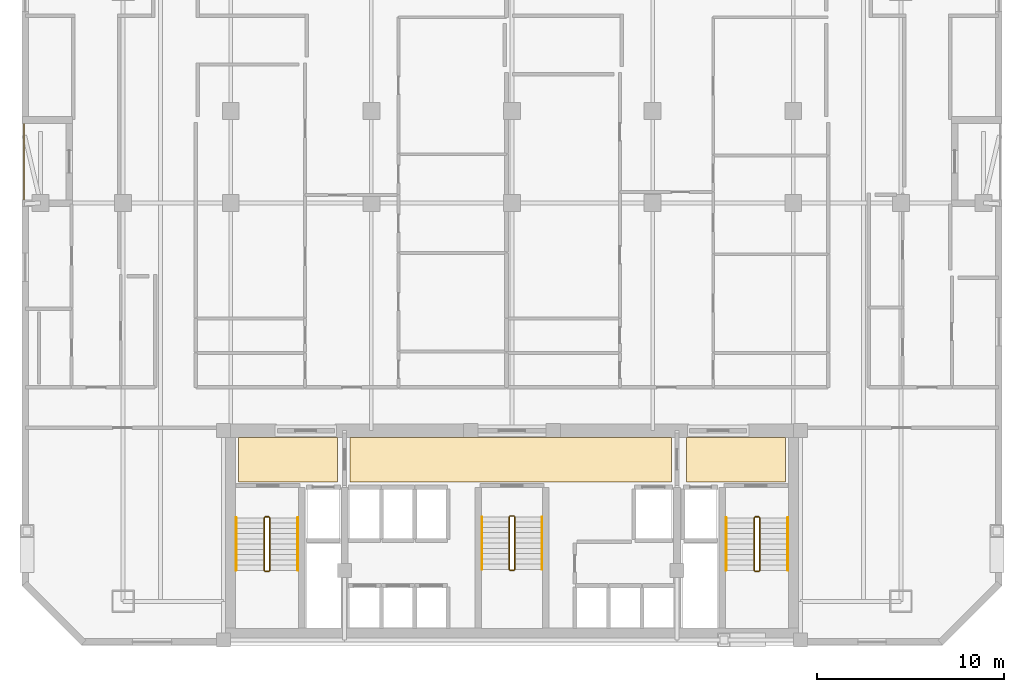
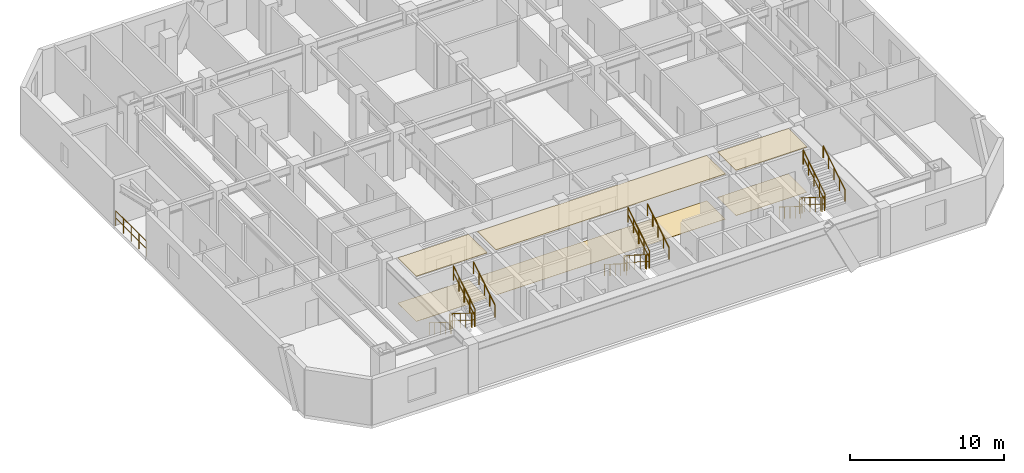
# One storey, part 9 of 10: 19 railings, 6 coverings.
"""IFC4 building model written with IfcOpenShell, lengths in metres."""

import ifcopenshell
import ifcopenshell.guid

model = None  # the IFC model being written
_history = None  # IfcOwnerHistory: only IFC2X3 demands one
_inside = {}  # id of a spatial element -> (the spatial element, [elements in it])
_under = {}  # id of a project, library or spatial element -> (it, [spatial elements below it])
_declared = {}  # id of a project -> (the project, [libraries it declares])
_typed = {}  # id of a type object -> (the type object, [elements of that type])
_made_of = {}  # id of a material, layer set ... -> (it, [elements and type objects made of it])


def new_model(schema):
    """Start an empty IFC model of exactly this schema.

    Asked for "IFC4X3", IfcOpenShell would pick the latest addendum, in which some entities
    have other attributes; the version numbers below select the first issue.
    IFC2X3 requires an IfcOwnerHistory on every rooted entity: one is made here for all.
    """
    global model, _history
    if schema == "IFC4X3":
        model = ifcopenshell.file(schema_version=(4, 3, 0, 0))
    else:
        model = ifcopenshell.file(schema=schema)
    _inside.clear()
    _under.clear()
    _declared.clear()
    _typed.clear()
    _made_of.clear()
    _history = None
    if model.schema == "IFC2X3":
        org = make("IfcOrganization", Name="unknown")
        user = make(
            "IfcPersonAndOrganization",
            ThePerson=make("IfcPerson", FamilyName="unknown"),
            TheOrganization=org,
        )
        app = make(
            "IfcApplication",
            ApplicationDeveloper=org,
            Version="unknown",
            ApplicationFullName="unknown",
            ApplicationIdentifier="unknown",
        )
        _history = make(
            "IfcOwnerHistory",
            OwningUser=user,
            OwningApplication=app,
            ChangeAction="ADDED",
            CreationDate=0,
        )
    return model


def make(cls, **values):
    """One entity of the class cls with the attributes given. An attribute that is None is left unset."""
    return model.create_entity(
        cls, **{name: value for name, value in values.items() if value is not None}
    )


def rooted(cls, **values):
    """An entity with a GlobalId (a new one), such as an element, a storey or a relation."""
    return make(cls, GlobalId=ifcopenshell.guid.new(), OwnerHistory=_history, **values)


def si_unit(unit_type, name, prefix=None):
    """IfcSIUnit, for example si_unit("LENGTHUNIT", "METRE", prefix="MILLI")."""
    return make("IfcSIUnit", UnitType=unit_type, Prefix=prefix, Name=name)


def assignment(units):
    """IfcUnitAssignment: the units of a project."""
    return None if units is None else make("IfcUnitAssignment", Units=units)


def point(xyz):
    """IfcCartesianPoint."""
    return None if xyz is None else make("IfcCartesianPoint", Coordinates=xyz)


def direction(xyz):
    """IfcDirection."""
    return None if xyz is None else make("IfcDirection", DirectionRatios=xyz)


def frame(location, z_axis=None, x_axis=None):
    """IfcAxis2Placement3D, a coordinate frame: its origin and axes. An axis left out is left unset."""
    return make(
        "IfcAxis2Placement3D",
        Location=point(location),
        Axis=direction(z_axis),
        RefDirection=direction(x_axis),
    )


def frame_2d(location, x_axis=None):
    """IfcAxis2Placement2D, a coordinate frame in the plane: its origin and x axis."""
    return make(
        "IfcAxis2Placement2D", Location=point(location), RefDirection=direction(x_axis)
    )


def origin():
    """The frame at (0, 0, 0) with its axes left unset."""
    return frame((0.0, 0.0, 0.0))


def origin_2d():
    """The frame at (0, 0) in the plane with its x axis left unset."""
    return frame_2d((0.0, 0.0))


def place(relative_to, where):
    """IfcLocalPlacement: puts the frame where relative to a parent placement (None: the world)."""
    return make(
        "IfcLocalPlacement", PlacementRelTo=relative_to, RelativePlacement=where
    )


def context(
    kind, dimensions, precision=None, world=None, true_north=None, identifier=None
):
    """IfcGeometricRepresentationContext, for example the 3D "Model" context."""
    return make(
        "IfcGeometricRepresentationContext",
        ContextIdentifier=identifier,
        ContextType=kind,
        CoordinateSpaceDimension=dimensions,
        Precision=precision,
        WorldCoordinateSystem=world,
        TrueNorth=true_north,
    )


def subcontext(parent, identifier, kind, view, scale=None):
    """IfcGeometricRepresentationSubContext, for example "Body" below "Model"."""
    return make(
        "IfcGeometricRepresentationSubContext",
        ContextIdentifier=identifier,
        ContextType=kind,
        ParentContext=parent,
        TargetScale=scale,
        TargetView=view,
    )


def project(units=None, contexts=None):
    """IfcProject with its units and contexts."""
    return rooted(
        "IfcProject",
        Name="project",
        RepresentationContexts=contexts,
        UnitsInContext=assignment(units),
    )


def spatial(cls, under=None, at=None, **own):
    """A site, building, storey or space (cls), placed at a placement, below another one or the project."""
    s = rooted(cls, ObjectPlacement=at, **own)
    if under is not None:
        _under.setdefault(under.id(), (under, []))[1].append(s)
    return s


def polyline(points):
    """IfcPolyline through the points."""
    return make("IfcPolyline", Points=[point(p) for p in points])


def profile(cls, at=None, kind="AREA", **sizes):
    """A parametric profile (cls). Its sizes go by their IFC names, for example OverallWidth=200.0."""
    return make(cls, ProfileType=kind, Position=at, **sizes)


def circle(**sizes):
    """IfcCircleProfileDef."""
    return profile("IfcCircleProfileDef", **sizes)


def outline(outer, holes=None, kind="AREA"):
    """IfcArbitraryClosedProfileDef: a profile drawn as a closed curve; with holes, ...WithVoids."""
    if holes is None:
        return make("IfcArbitraryClosedProfileDef", ProfileType=kind, OuterCurve=outer)
    return make(
        "IfcArbitraryProfileDefWithVoids",
        ProfileType=kind,
        OuterCurve=outer,
        InnerCurves=holes,
    )


def extrude(swept, where, along, depth):
    """IfcExtrudedAreaSolid: the profile swept, set in the frame where, extruded along a direction by depth."""
    return make(
        "IfcExtrudedAreaSolid",
        SweptArea=swept,
        Position=where,
        ExtrudedDirection=direction(along),
        Depth=depth,
    )


def shape(context_of_items, identifier, shape_type, items):
    """IfcShapeRepresentation: the items that make up one representation, for example the "Body"."""
    return make(
        "IfcShapeRepresentation",
        ContextOfItems=context_of_items,
        RepresentationIdentifier=identifier,
        RepresentationType=shape_type,
        Items=items,
    )


def material(Name=None, Category=None):
    """IfcMaterial."""
    return make("IfcMaterial", Name=Name, Category=Category)


def layer(
    of_material, thickness, ventilated=None, Name=None, Category=None, Priority=None
):
    """IfcMaterialLayer: one layer of a wall or slab, of a material (None: an air gap)."""
    return make(
        "IfcMaterialLayer",
        Material=of_material,
        LayerThickness=thickness,
        IsVentilated=ventilated,
        Name=Name,
        Category=Category,
        Priority=Priority,
    )


def layer_set(layers, Name=None):
    """IfcMaterialLayerSet."""
    return make("IfcMaterialLayerSet", MaterialLayers=layers, LayerSetName=Name)


def made_of(thing, what):
    """Note that an element or type object is made of a material, layer set ...; save() writes the relation."""
    if what is not None:
        _made_of.setdefault(what.id(), (what, []))[1].append(thing)
    return thing


def type_object(cls, material=None, **own):
    """A type object (cls), such as IfcWallType, which elements share."""
    return made_of(rooted(cls, **own), material)


def element(
    cls,
    number,
    at=None,
    inside=None,
    cuts=None,
    type_object=None,
    material=None,
    context=None,
    identifier="Body",
    shape_type=None,
    held_by="IfcProductDefinitionShape",
    body=None,
    shapes=None,
    **own,
):
    """One element of the class cls, such as IfcWall. Its Tag is "e" and its number.

    at: its placement. inside: the storey or other place that contains it. cuts: it is an
    opening in that element (IfcRelVoidsElement). A single representation is given by context,
    identifier, shape_type and body (its items); several are given by shapes. held_by: the class
    of the entity that holds the representations. save() writes the other relations.
    """
    e = rooted(cls, Tag="e%d" % number, ObjectPlacement=at, **own)
    if body is not None:
        shapes = [shape(context, identifier, shape_type, body)]
    if shapes is not None:
        e.Representation = make(held_by, Representations=shapes)
    if inside is not None:
        _inside.setdefault(inside.id(), (inside, []))[1].append(e)
    if cuts is not None:
        rooted(
            "IfcRelVoidsElement", RelatingBuildingElement=cuts, RelatedOpeningElement=e
        )
    if type_object is not None:
        _typed.setdefault(type_object.id(), (type_object, []))[1].append(e)
    return made_of(e, material)


def aggregate(whole, parts):
    """IfcRelAggregates: a whole, such as a stair, and the parts it consists of."""
    return rooted("IfcRelAggregates", RelatingObject=whole, RelatedObjects=parts)


def save(model, path):
    """Write the relations noted so far, then the file.

    IfcRelAggregates (storeys below a building ...), IfcRelContainedInSpatialStructure (elements
    in a storey), IfcRelDefinesByType, IfcRelAssociatesMaterial and IfcRelDeclares: one each for
    every whole, place, type object, material and project.
    """
    for whole, parts in _under.values():
        aggregate(whole, parts)
    for where, things in _inside.values():
        rooted(
            "IfcRelContainedInSpatialStructure",
            RelatedElements=things,
            RelatingStructure=where,
        )
    for kind, things in _typed.values():
        rooted("IfcRelDefinesByType", RelatedObjects=things, RelatingType=kind)
    for what, things in _made_of.values():
        rooted("IfcRelAssociatesMaterial", RelatedObjects=things, RelatingMaterial=what)
    for by, libraries in _declared.values():
        rooted("IfcRelDeclares", RelatingContext=by, RelatedDefinitions=libraries)
    model.write(path)


model = new_model("IFC4")

# Units and contexts
model_context = context("Model", 3, precision=1e-05, world=origin(), true_north=direction((0.0, 1.0)))
body_context = subcontext(model_context, "Body", "Model", "MODEL_VIEW")
ifc_project = project(units=[si_unit("LENGTHUNIT", "METRE"), si_unit("AREAUNIT", "SQUARE_METRE"), si_unit("VOLUMEUNIT", "CUBIC_METRE"), si_unit("PLANEANGLEUNIT", "RADIAN"), si_unit("MASSUNIT", "GRAM", prefix="KILO")], contexts=[model_context])

# Site, building, storey
site_placement = place(None, origin())
site = spatial("IfcSite", under=ifc_project, at=site_placement, CompositionType="ELEMENT")
building_placement = place(site_placement, origin())
building = spatial("IfcBuilding", under=site, at=building_placement, Name="Ventersveld Concourse Tower", CompositionType="ELEMENT")
storey_placement = place(building_placement, frame((0.0, 0.0, 96.449951171875)))
storey = spatial("IfcBuildingStorey", under=building, at=storey_placement, Name="L23", CompositionType="ELEMENT", Elevation=96.449951171875)

# Coverings
ifc_material_1 = material(Name="Mineral-fibre acoustic ceiling tile", Category="gypsum")
ifc_layer_1 = layer(ifc_material_1, 0.0400390625)
ifc_layer_set_1 = layer_set([ifc_layer_1], Name="Mineral-fibre acoustic ceiling tile")
covering_type_1 = type_object("IfcCoveringType", Name="COV-CEIL-ACOUSTIC", PredefinedType="CEILING", material=ifc_layer_set_1)
covering_1_placement = place(storey_placement, frame((0.0, 0.0, 3.56005859375)))
element("IfcCovering", 1, at=covering_1_placement, inside=storey, type_object=covering_type_1, Name="L23 North Lift Lobby Acoustic Ceiling", PredefinedType="CEILING", context=body_context, shape_type="SweptSolid", body=[
    extrude(outline(polyline([(20.10009765625, 8.699951171875), (37.25, 8.699951171875), (37.25, 11.10009765625), (20.10009765625, 11.10009765625), (20.10009765625, 8.699951171875)])), origin(), (0.0, 0.0, 1.0), 0.0400390625),
])
covering_2_placement = place(storey_placement, frame((0.0, 0.0, 3.56005859375)))
element("IfcCovering", 2, at=covering_2_placement, inside=storey, type_object=covering_type_1, Name="L23 West Firefighting Lobby Acoustic Ceiling", PredefinedType="CEILING", context=body_context, shape_type="SweptSolid", body=[
    extrude(outline(polyline([(14.14990234375, 8.699951171875), (19.449951171875, 8.699951171875), (19.449951171875, 11.10009765625), (14.14990234375, 11.10009765625), (14.14990234375, 8.699951171875)])), origin(), (0.0, 0.0, 1.0), 0.0400390625),
])
covering_3_placement = place(storey_placement, frame((0.0, 0.0, 3.56005859375)))
element("IfcCovering", 3, at=covering_3_placement, inside=storey, type_object=covering_type_1, Name="L23 East Firefighting Lobby Acoustic Ceiling", PredefinedType="CEILING", context=body_context, shape_type="SweptSolid", body=[
    extrude(outline(polyline([(38.050048828125, 8.699951171875), (43.35009765625, 8.699951171875), (43.35009765625, 11.10009765625), (38.050048828125, 11.10009765625), (38.050048828125, 8.699951171875)])), origin(), (0.0, 0.0, 1.0), 0.0400390625),
])
ifc_material_2 = material(Name="Polished Highveld granite terrazzo", Category="masonry")
ifc_layer_2 = layer(ifc_material_2, 0.02001953125)
ifc_layer_set_2 = layer_set([ifc_layer_2], Name="Polished Highveld granite terrazzo")
covering_type_2 = type_object("IfcCoveringType", Name="COV-FLOOR-TERRAZZO", PredefinedType="FLOORING", material=ifc_layer_set_2)
covering_4_placement = place(storey_placement, origin())
element("IfcCovering", 4, at=covering_4_placement, inside=storey, type_object=covering_type_2, Name="L23 North Lift Lobby Terrazzo Flooring", PredefinedType="FLOORING", context=body_context, shape_type="SweptSolid", body=[
    extrude(outline(polyline([(20.10009765625, 8.699951171875), (37.25, 8.699951171875), (37.25, 11.10009765625), (20.10009765625, 11.10009765625), (20.10009765625, 8.699951171875)])), origin(), (0.0, 0.0, 1.0), 0.02001953125),
])
covering_5_placement = place(storey_placement, origin())
element("IfcCovering", 5, at=covering_5_placement, inside=storey, type_object=covering_type_2, Name="L23 West Firefighting Lobby Terrazzo Flooring", PredefinedType="FLOORING", context=body_context, shape_type="SweptSolid", body=[
    extrude(outline(polyline([(14.14990234375, 8.699951171875), (19.449951171875, 8.699951171875), (19.449951171875, 11.10009765625), (14.14990234375, 11.10009765625), (14.14990234375, 8.699951171875)])), origin(), (0.0, 0.0, 1.0), 0.02001953125),
])
covering_6_placement = place(storey_placement, origin())
element("IfcCovering", 6, at=covering_6_placement, inside=storey, type_object=covering_type_2, Name="L23 East Firefighting Lobby Terrazzo Flooring", PredefinedType="FLOORING", context=body_context, shape_type="SweptSolid", body=[
    extrude(outline(polyline([(38.050048828125, 8.699951171875), (43.35009765625, 8.699951171875), (43.35009765625, 11.10009765625), (38.050048828125, 11.10009765625), (38.050048828125, 8.699951171875)])), origin(), (0.0, 0.0, 1.0), 0.02001953125),
])

# Railings
ifc_material_3 = material(Name="Brushed stainless steel 316", Category="steel")
railing_type_1 = type_object("IfcRailingType", Name="GD-BAL-115", PredefinedType="GUARDRAIL", material=ifc_material_3)
railing_1_placement = place(storey_placement, frame((15.530029296875, 6.800048828125, 0.175048828125)))
element("IfcRailing", 7, at=railing_1_placement, inside=storey, type_object=railing_type_1, Name="L23 ST-01 stair guard 1", PredefinedType="GUARDRAIL", context=body_context, shape_type="SweptSolid", body=[
    extrude(circle(Radius=0.02392578125, at=origin_2d()), frame((0.0, 0.0, 1.1259765625), z_axis=(0.0, -0.848002457836, 0.529992293815), x_axis=(1.0, 0.0, 0.0)), (0.0, 0.0, 1.0), 3.302001953125),
    extrude(circle(Radius=0.01611328125, at=origin_2d()), frame((0.0, 0.0, 0.574951171875), z_axis=(0.0, -0.848002457836, 0.529992293815), x_axis=(1.0, 0.0, 0.0)), (0.0, 0.0, 1.0), 3.302001953125),
    extrude(circle(Radius=0.02099609375, at=origin_2d()), origin(), (0.0, 0.0, 1.0), 1.101806640625),
    extrude(circle(Radius=0.02099609375, at=origin_2d()), frame((0.0, -0.699951171875, 0.4375)), (0.0, 0.0, 1.0), 1.101806640625),
    extrude(circle(Radius=0.02099609375, at=origin_2d()), frame((0.0, -1.39990234375, 0.875)), (0.0, 0.0, 1.0), 1.101806640625),
    extrude(circle(Radius=0.02099609375, at=origin_2d()), frame((0.0, -2.10009765625, 1.3125)), (0.0, 0.0, 1.0), 1.101806640625),
    extrude(circle(Radius=0.02099609375, at=origin_2d()), frame((0.0, -2.800048828125, 1.75)), (0.0, 0.0, 1.0), 1.101806640625),
])
railing_2_placement = place(storey_placement, frame((15.580078125, 3.949951171875, 1.925048828125)))
element("IfcRailing", 8, at=railing_2_placement, inside=storey, type_object=railing_type_1, Name="L23 ST-01 stair guard 2", PredefinedType="GUARDRAIL", context=body_context, shape_type="SweptSolid", body=[
    extrude(circle(Radius=0.02392578125, at=origin_2d()), frame((0.0, 0.0, 1.1259765625), z_axis=(1.0, 0.0, 0.0), x_axis=(0.0, 1.0, 0.0)), (0.0, 0.0, 1.0), 0.199951171875),
    extrude(circle(Radius=0.01611328125, at=origin_2d()), frame((0.0, 0.0, 0.574951171875), z_axis=(1.0, 0.0, 0.0), x_axis=(0.0, 1.0, 0.0)), (0.0, 0.0, 1.0), 0.199951171875),
    extrude(circle(Radius=0.02099609375, at=origin_2d()), origin(), (0.0, 0.0, 1.0), 1.101806640625),
    extrude(circle(Radius=0.02099609375, at=origin_2d()), frame((0.199951171875, 0.0, 0.0)), (0.0, 0.0, 1.0), 1.101806640625),
])
railing_3_placement = place(storey_placement, frame((15.830078125, 4.0, 2.10009765625)))
element("IfcRailing", 9, at=railing_3_placement, inside=storey, type_object=railing_type_1, Name="L23 ST-01 stair guard 3", PredefinedType="GUARDRAIL", context=body_context, shape_type="SweptSolid", body=[
    extrude(circle(Radius=0.02392578125, at=origin_2d()), frame((0.0, 0.0, 1.1259765625), z_axis=(0.0, 0.848002457836, 0.529992293815), x_axis=(-1.0, 0.0, 0.0)), (0.0, 0.0, 1.0), 3.302001953125),
    extrude(circle(Radius=0.01611328125, at=origin_2d()), frame((0.0, 0.0, 0.574951171875), z_axis=(0.0, 0.848002457836, 0.529992293815), x_axis=(-1.0, 0.0, 0.0)), (0.0, 0.0, 1.0), 3.302001953125),
    extrude(circle(Radius=0.02099609375, at=origin_2d()), origin(), (0.0, 0.0, 1.0), 1.101806640625),
    extrude(circle(Radius=0.02099609375, at=origin_2d()), frame((0.0, 0.699951171875, 0.4375)), (0.0, 0.0, 1.0), 1.101806640625),
    extrude(circle(Radius=0.02099609375, at=origin_2d()), frame((0.0, 1.39990234375, 0.875)), (0.0, 0.0, 1.0), 1.101806640625),
    extrude(circle(Radius=0.02099609375, at=origin_2d()), frame((0.0, 2.10009765625, 1.3125)), (0.0, 0.0, 1.0), 1.101806640625),
    extrude(circle(Radius=0.02099609375, at=origin_2d()), frame((0.0, 2.800048828125, 1.75)), (0.0, 0.0, 1.0), 1.101806640625),
])
railing_4_placement = place(storey_placement, frame((15.580078125, 6.85009765625, 0.0)))
element("IfcRailing", 10, at=railing_4_placement, inside=storey, type_object=railing_type_1, Name="L23 ST-01 stair guard 4", PredefinedType="GUARDRAIL", context=body_context, shape_type="SweptSolid", body=[
    extrude(circle(Radius=0.02392578125, at=origin_2d()), frame((0.0, 0.0, 1.1259765625), z_axis=(1.0, 0.0, 0.0), x_axis=(0.0, 1.0, 0.0)), (0.0, 0.0, 1.0), 0.199951171875),
    extrude(circle(Radius=0.01611328125, at=origin_2d()), frame((0.0, 0.0, 0.574951171875), z_axis=(1.0, 0.0, 0.0), x_axis=(0.0, 1.0, 0.0)), (0.0, 0.0, 1.0), 0.199951171875),
    extrude(circle(Radius=0.02099609375, at=origin_2d()), origin(), (0.0, 0.0, 1.0), 1.101806640625),
    extrude(circle(Radius=0.02099609375, at=origin_2d()), frame((0.199951171875, 0.0, 0.0)), (0.0, 0.0, 1.0), 1.101806640625),
])
railing_5_placement = place(storey_placement, frame((41.669921875, 6.800048828125, 0.175048828125)))
element("IfcRailing", 11, at=railing_5_placement, inside=storey, type_object=railing_type_1, Name="L23 ST-02 stair guard 1", PredefinedType="GUARDRAIL", context=body_context, shape_type="SweptSolid", body=[
    extrude(circle(Radius=0.02392578125, at=origin_2d()), frame((0.0, 0.0, 1.1259765625), z_axis=(0.0, -0.848002457836, 0.529992293815), x_axis=(1.0, 0.0, 0.0)), (0.0, 0.0, 1.0), 3.302001953125),
    extrude(circle(Radius=0.01611328125, at=origin_2d()), frame((0.0, 0.0, 0.574951171875), z_axis=(0.0, -0.848002457836, 0.529992293815), x_axis=(1.0, 0.0, 0.0)), (0.0, 0.0, 1.0), 3.302001953125),
    extrude(circle(Radius=0.02099609375, at=origin_2d()), origin(), (0.0, 0.0, 1.0), 1.101806640625),
    extrude(circle(Radius=0.02099609375, at=origin_2d()), frame((0.0, -0.699951171875, 0.4375)), (0.0, 0.0, 1.0), 1.101806640625),
    extrude(circle(Radius=0.02099609375, at=origin_2d()), frame((0.0, -1.39990234375, 0.875)), (0.0, 0.0, 1.0), 1.101806640625),
    extrude(circle(Radius=0.02099609375, at=origin_2d()), frame((0.0, -2.10009765625, 1.3125)), (0.0, 0.0, 1.0), 1.101806640625),
    extrude(circle(Radius=0.02099609375, at=origin_2d()), frame((0.0, -2.800048828125, 1.75)), (0.0, 0.0, 1.0), 1.101806640625),
])
railing_6_placement = place(storey_placement, frame((41.719970703125, 3.949951171875, 1.925048828125)))
element("IfcRailing", 12, at=railing_6_placement, inside=storey, type_object=railing_type_1, Name="L23 ST-02 stair guard 2", PredefinedType="GUARDRAIL", context=body_context, shape_type="SweptSolid", body=[
    extrude(circle(Radius=0.02392578125, at=origin_2d()), frame((0.0, 0.0, 1.1259765625), z_axis=(1.0, 0.0, 0.0), x_axis=(0.0, 1.0, 0.0)), (0.0, 0.0, 1.0), 0.199951171875),
    extrude(circle(Radius=0.01611328125, at=origin_2d()), frame((0.0, 0.0, 0.574951171875), z_axis=(1.0, 0.0, 0.0), x_axis=(0.0, 1.0, 0.0)), (0.0, 0.0, 1.0), 0.199951171875),
    extrude(circle(Radius=0.02099609375, at=origin_2d()), origin(), (0.0, 0.0, 1.0), 1.101806640625),
    extrude(circle(Radius=0.02099609375, at=origin_2d()), frame((0.199951171875, 0.0, 0.0)), (0.0, 0.0, 1.0), 1.101806640625),
])
railing_7_placement = place(storey_placement, frame((41.969970703125, 4.0, 2.10009765625)))
element("IfcRailing", 13, at=railing_7_placement, inside=storey, type_object=railing_type_1, Name="L23 ST-02 stair guard 3", PredefinedType="GUARDRAIL", context=body_context, shape_type="SweptSolid", body=[
    extrude(circle(Radius=0.02392578125, at=origin_2d()), frame((0.0, 0.0, 1.1259765625), z_axis=(0.0, 0.848002457836, 0.529992293815), x_axis=(-1.0, 0.0, 0.0)), (0.0, 0.0, 1.0), 3.302001953125),
    extrude(circle(Radius=0.01611328125, at=origin_2d()), frame((0.0, 0.0, 0.574951171875), z_axis=(0.0, 0.848002457836, 0.529992293815), x_axis=(-1.0, 0.0, 0.0)), (0.0, 0.0, 1.0), 3.302001953125),
    extrude(circle(Radius=0.02099609375, at=origin_2d()), origin(), (0.0, 0.0, 1.0), 1.101806640625),
    extrude(circle(Radius=0.02099609375, at=origin_2d()), frame((0.0, 0.699951171875, 0.4375)), (0.0, 0.0, 1.0), 1.101806640625),
    extrude(circle(Radius=0.02099609375, at=origin_2d()), frame((0.0, 1.39990234375, 0.875)), (0.0, 0.0, 1.0), 1.101806640625),
    extrude(circle(Radius=0.02099609375, at=origin_2d()), frame((0.0, 2.10009765625, 1.3125)), (0.0, 0.0, 1.0), 1.101806640625),
    extrude(circle(Radius=0.02099609375, at=origin_2d()), frame((0.0, 2.800048828125, 1.75)), (0.0, 0.0, 1.0), 1.101806640625),
])
railing_8_placement = place(storey_placement, frame((41.719970703125, 6.85009765625, 0.0)))
element("IfcRailing", 14, at=railing_8_placement, inside=storey, type_object=railing_type_1, Name="L23 ST-02 stair guard 4", PredefinedType="GUARDRAIL", context=body_context, shape_type="SweptSolid", body=[
    extrude(circle(Radius=0.02392578125, at=origin_2d()), frame((0.0, 0.0, 1.1259765625), z_axis=(1.0, 0.0, 0.0), x_axis=(0.0, 1.0, 0.0)), (0.0, 0.0, 1.0), 0.199951171875),
    extrude(circle(Radius=0.01611328125, at=origin_2d()), frame((0.0, 0.0, 0.574951171875), z_axis=(1.0, 0.0, 0.0), x_axis=(0.0, 1.0, 0.0)), (0.0, 0.0, 1.0), 0.199951171875),
    extrude(circle(Radius=0.02099609375, at=origin_2d()), origin(), (0.0, 0.0, 1.0), 1.101806640625),
    extrude(circle(Radius=0.02099609375, at=origin_2d()), frame((0.199951171875, 0.0, 0.0)), (0.0, 0.0, 1.0), 1.101806640625),
])
railing_9_placement = place(storey_placement, frame((28.60009765625, 6.85009765625, 0.175048828125)))
element("IfcRailing", 15, at=railing_9_placement, inside=storey, type_object=railing_type_1, Name="L23 ST-03 stair guard 1", PredefinedType="GUARDRAIL", context=body_context, shape_type="SweptSolid", body=[
    extrude(circle(Radius=0.02392578125, at=origin_2d()), frame((0.0, 0.0, 1.1259765625), z_axis=(0.0, -0.848002457836, 0.529992293815), x_axis=(1.0, 0.0, 0.0)), (0.0, 0.0, 1.0), 3.302001953125),
    extrude(circle(Radius=0.01611328125, at=origin_2d()), frame((0.0, 0.0, 0.574951171875), z_axis=(0.0, -0.848002457836, 0.529992293815), x_axis=(1.0, 0.0, 0.0)), (0.0, 0.0, 1.0), 3.302001953125),
    extrude(circle(Radius=0.02099609375, at=origin_2d()), origin(), (0.0, 0.0, 1.0), 1.101806640625),
    extrude(circle(Radius=0.02099609375, at=origin_2d()), frame((0.0, -0.699951171875, 0.4375)), (0.0, 0.0, 1.0), 1.101806640625),
    extrude(circle(Radius=0.02099609375, at=origin_2d()), frame((0.0, -1.39990234375, 0.875)), (0.0, 0.0, 1.0), 1.101806640625),
    extrude(circle(Radius=0.02099609375, at=origin_2d()), frame((0.0, -2.10009765625, 1.3125)), (0.0, 0.0, 1.0), 1.101806640625),
    extrude(circle(Radius=0.02099609375, at=origin_2d()), frame((0.0, -2.800048828125, 1.75)), (0.0, 0.0, 1.0), 1.101806640625),
])
railing_10_placement = place(storey_placement, frame((28.64990234375, 4.0, 1.925048828125)))
element("IfcRailing", 16, at=railing_10_placement, inside=storey, type_object=railing_type_1, Name="L23 ST-03 stair guard 2", PredefinedType="GUARDRAIL", context=body_context, shape_type="SweptSolid", body=[
    extrude(circle(Radius=0.02392578125, at=origin_2d()), frame((0.0, 0.0, 1.1259765625), z_axis=(1.0, 0.0, 0.0), x_axis=(0.0, 1.0, 0.0)), (0.0, 0.0, 1.0), 0.2001953125),
    extrude(circle(Radius=0.01611328125, at=origin_2d()), frame((0.0, 0.0, 0.574951171875), z_axis=(1.0, 0.0, 0.0), x_axis=(0.0, 1.0, 0.0)), (0.0, 0.0, 1.0), 0.2001953125),
    extrude(circle(Radius=0.02099609375, at=origin_2d()), origin(), (0.0, 0.0, 1.0), 1.101806640625),
    extrude(circle(Radius=0.02099609375, at=origin_2d()), frame((0.2001953125, 0.0, 0.0)), (0.0, 0.0, 1.0), 1.101806640625),
])
railing_11_placement = place(storey_placement, frame((28.89990234375, 4.050048828125, 2.10009765625)))
element("IfcRailing", 17, at=railing_11_placement, inside=storey, type_object=railing_type_1, Name="L23 ST-03 stair guard 3", PredefinedType="GUARDRAIL", context=body_context, shape_type="SweptSolid", body=[
    extrude(circle(Radius=0.02392578125, at=origin_2d()), frame((0.0, 0.0, 1.1259765625), z_axis=(0.0, 0.848002457836, 0.529992293815), x_axis=(-1.0, 0.0, 0.0)), (0.0, 0.0, 1.0), 3.302001953125),
    extrude(circle(Radius=0.01611328125, at=origin_2d()), frame((0.0, 0.0, 0.574951171875), z_axis=(0.0, 0.848002457836, 0.529992293815), x_axis=(-1.0, 0.0, 0.0)), (0.0, 0.0, 1.0), 3.302001953125),
    extrude(circle(Radius=0.02099609375, at=origin_2d()), origin(), (0.0, 0.0, 1.0), 1.101806640625),
    extrude(circle(Radius=0.02099609375, at=origin_2d()), frame((0.0, 0.699951171875, 0.4375)), (0.0, 0.0, 1.0), 1.101806640625),
    extrude(circle(Radius=0.02099609375, at=origin_2d()), frame((0.0, 1.39990234375, 0.875)), (0.0, 0.0, 1.0), 1.101806640625),
    extrude(circle(Radius=0.02099609375, at=origin_2d()), frame((0.0, 2.10009765625, 1.3125)), (0.0, 0.0, 1.0), 1.101806640625),
    extrude(circle(Radius=0.02099609375, at=origin_2d()), frame((0.0, 2.800048828125, 1.75)), (0.0, 0.0, 1.0), 1.101806640625),
])
railing_12_placement = place(storey_placement, frame((28.64990234375, 6.89990234375, 0.0)))
element("IfcRailing", 18, at=railing_12_placement, inside=storey, type_object=railing_type_1, Name="L23 ST-03 stair guard 4", PredefinedType="GUARDRAIL", context=body_context, shape_type="SweptSolid", body=[
    extrude(circle(Radius=0.02392578125, at=origin_2d()), frame((0.0, 0.0, 1.1259765625), z_axis=(1.0, 0.0, 0.0), x_axis=(0.0, 1.0, 0.0)), (0.0, 0.0, 1.0), 0.2001953125),
    extrude(circle(Radius=0.01611328125, at=origin_2d()), frame((0.0, 0.0, 0.574951171875), z_axis=(1.0, 0.0, 0.0), x_axis=(0.0, 1.0, 0.0)), (0.0, 0.0, 1.0), 0.2001953125),
    extrude(circle(Radius=0.02099609375, at=origin_2d()), origin(), (0.0, 0.0, 1.0), 1.101806640625),
    extrude(circle(Radius=0.02099609375, at=origin_2d()), frame((0.2001953125, 0.0, 0.0)), (0.0, 0.0, 1.0), 1.101806640625),
])
railing_type_2 = type_object("IfcRailingType", Name="GD-TER-120", PredefinedType="GUARDRAIL", material=ifc_material_3)
railing_13_placement = place(storey_placement, frame((2.719970703125, 23.800048828125, 0.0)))
element("IfcRailing", 19, at=railing_13_placement, inside=storey, type_object=railing_type_2, Name="L23 Outdoor Terrace Guardrail NOTCH-W", PredefinedType="GUARDRAIL", context=body_context, shape_type="SweptSolid", body=[
    extrude(circle(Radius=0.02392578125, at=origin_2d()), frame((0.0, 0.0, 1.17578125), z_axis=(0.0, 1.0, 0.0), x_axis=(-1.0, 0.0, 0.0)), (0.0, 0.0, 1.0), 4.0),
    extrude(circle(Radius=0.01611328125, at=origin_2d()), frame((0.0, 0.0, 0.60009765625), z_axis=(0.0, 1.0, 0.0), x_axis=(-1.0, 0.0, 0.0)), (0.0, 0.0, 1.0), 4.0),
    extrude(circle(Radius=0.02099609375, at=origin_2d()), origin(), (0.0, 0.0, 1.0), 1.15185546875),
    extrude(circle(Radius=0.02099609375, at=origin_2d()), frame((0.0, 1.0, 0.0)), (0.0, 0.0, 1.0), 1.15185546875),
    extrude(circle(Radius=0.02099609375, at=origin_2d()), frame((0.0, 2.0, 0.0)), (0.0, 0.0, 1.0), 1.15185546875),
    extrude(circle(Radius=0.02099609375, at=origin_2d()), frame((0.0, 3.0, 0.0)), (0.0, 0.0, 1.0), 1.15185546875),
    extrude(circle(Radius=0.02099609375, at=origin_2d()), frame((0.0, 4.0, 0.0)), (0.0, 0.0, 1.0), 1.15185546875),
])
railing_type_3 = type_object("IfcRailingType", Name="HR-RMP-095", PredefinedType="HANDRAIL", material=ifc_material_3)
railing_14_placement = place(storey_placement, frame((14.030029296875, 6.800048828125, 0.175048828125)))
element("IfcRailing", 20, at=railing_14_placement, inside=storey, type_object=railing_type_3, Name="L23 ST-01 stair handrail 1", PredefinedType="HANDRAIL", context=body_context, shape_type="SweptSolid", body=[
    extrude(circle(Radius=0.02392578125, at=origin_2d()), frame((0.0, 0.0, 0.92578125), z_axis=(0.0, -0.848002457836, 0.529992293815), x_axis=(1.0, 0.0, 0.0)), (0.0, 0.0, 1.0), 3.302001953125),
    extrude(circle(Radius=0.02099609375, at=origin_2d()), origin(), (0.0, 0.0, 1.0), 0.90185546875),
    extrude(circle(Radius=0.02099609375, at=origin_2d()), frame((0.0, -0.699951171875, 0.4375)), (0.0, 0.0, 1.0), 0.90185546875),
    extrude(circle(Radius=0.02099609375, at=origin_2d()), frame((0.0, -1.39990234375, 0.875)), (0.0, 0.0, 1.0), 0.90185546875),
    extrude(circle(Radius=0.02099609375, at=origin_2d()), frame((0.0, -2.10009765625, 1.3125)), (0.0, 0.0, 1.0), 0.90185546875),
    extrude(circle(Radius=0.02099609375, at=origin_2d()), frame((0.0, -2.800048828125, 1.75)), (0.0, 0.0, 1.0), 0.90185546875),
])
railing_15_placement = place(storey_placement, frame((17.330078125, 4.0, 2.10009765625)))
element("IfcRailing", 21, at=railing_15_placement, inside=storey, type_object=railing_type_3, Name="L23 ST-01 stair handrail 2", PredefinedType="HANDRAIL", context=body_context, shape_type="SweptSolid", body=[
    extrude(circle(Radius=0.02392578125, at=origin_2d()), frame((0.0, 0.0, 0.92578125), z_axis=(0.0, 0.848002457836, 0.529992293815), x_axis=(-1.0, 0.0, 0.0)), (0.0, 0.0, 1.0), 3.302001953125),
    extrude(circle(Radius=0.02099609375, at=origin_2d()), origin(), (0.0, 0.0, 1.0), 0.90185546875),
    extrude(circle(Radius=0.02099609375, at=origin_2d()), frame((0.0, 0.699951171875, 0.4375)), (0.0, 0.0, 1.0), 0.90185546875),
    extrude(circle(Radius=0.02099609375, at=origin_2d()), frame((0.0, 1.39990234375, 0.875)), (0.0, 0.0, 1.0), 0.90185546875),
    extrude(circle(Radius=0.02099609375, at=origin_2d()), frame((0.0, 2.10009765625, 1.3125)), (0.0, 0.0, 1.0), 0.90185546875),
    extrude(circle(Radius=0.02099609375, at=origin_2d()), frame((0.0, 2.800048828125, 1.75)), (0.0, 0.0, 1.0), 0.90185546875),
])
railing_16_placement = place(storey_placement, frame((40.169921875, 6.800048828125, 0.175048828125)))
element("IfcRailing", 22, at=railing_16_placement, inside=storey, type_object=railing_type_3, Name="L23 ST-02 stair handrail 1", PredefinedType="HANDRAIL", context=body_context, shape_type="SweptSolid", body=[
    extrude(circle(Radius=0.02392578125, at=origin_2d()), frame((0.0, 0.0, 0.92578125), z_axis=(0.0, -0.848002457836, 0.529992293815), x_axis=(1.0, 0.0, 0.0)), (0.0, 0.0, 1.0), 3.302001953125),
    extrude(circle(Radius=0.02099609375, at=origin_2d()), origin(), (0.0, 0.0, 1.0), 0.90185546875),
    extrude(circle(Radius=0.02099609375, at=origin_2d()), frame((0.0, -0.699951171875, 0.4375)), (0.0, 0.0, 1.0), 0.90185546875),
    extrude(circle(Radius=0.02099609375, at=origin_2d()), frame((0.0, -1.39990234375, 0.875)), (0.0, 0.0, 1.0), 0.90185546875),
    extrude(circle(Radius=0.02099609375, at=origin_2d()), frame((0.0, -2.10009765625, 1.3125)), (0.0, 0.0, 1.0), 0.90185546875),
    extrude(circle(Radius=0.02099609375, at=origin_2d()), frame((0.0, -2.800048828125, 1.75)), (0.0, 0.0, 1.0), 0.90185546875),
])
railing_17_placement = place(storey_placement, frame((43.469970703125, 4.0, 2.10009765625)))
element("IfcRailing", 23, at=railing_17_placement, inside=storey, type_object=railing_type_3, Name="L23 ST-02 stair handrail 2", PredefinedType="HANDRAIL", context=body_context, shape_type="SweptSolid", body=[
    extrude(circle(Radius=0.02392578125, at=origin_2d()), frame((0.0, 0.0, 0.92578125), z_axis=(0.0, 0.848002457836, 0.529992293815), x_axis=(-1.0, 0.0, 0.0)), (0.0, 0.0, 1.0), 3.302001953125),
    extrude(circle(Radius=0.02099609375, at=origin_2d()), origin(), (0.0, 0.0, 1.0), 0.90185546875),
    extrude(circle(Radius=0.02099609375, at=origin_2d()), frame((0.0, 0.699951171875, 0.4375)), (0.0, 0.0, 1.0), 0.90185546875),
    extrude(circle(Radius=0.02099609375, at=origin_2d()), frame((0.0, 1.39990234375, 0.875)), (0.0, 0.0, 1.0), 0.90185546875),
    extrude(circle(Radius=0.02099609375, at=origin_2d()), frame((0.0, 2.10009765625, 1.3125)), (0.0, 0.0, 1.0), 0.90185546875),
    extrude(circle(Radius=0.02099609375, at=origin_2d()), frame((0.0, 2.800048828125, 1.75)), (0.0, 0.0, 1.0), 0.90185546875),
])
railing_18_placement = place(storey_placement, frame((27.14990234375, 6.85009765625, 0.175048828125)))
element("IfcRailing", 24, at=railing_18_placement, inside=storey, type_object=railing_type_3, Name="L23 ST-03 stair handrail 1", PredefinedType="HANDRAIL", context=body_context, shape_type="SweptSolid", body=[
    extrude(circle(Radius=0.02392578125, at=origin_2d()), frame((0.0, 0.0, 0.92578125), z_axis=(0.0, -0.848002457836, 0.529992293815), x_axis=(1.0, 0.0, 0.0)), (0.0, 0.0, 1.0), 3.302001953125),
    extrude(circle(Radius=0.02099609375, at=origin_2d()), origin(), (0.0, 0.0, 1.0), 0.90185546875),
    extrude(circle(Radius=0.02099609375, at=origin_2d()), frame((0.0, -0.699951171875, 0.4375)), (0.0, 0.0, 1.0), 0.90185546875),
    extrude(circle(Radius=0.02099609375, at=origin_2d()), frame((0.0, -1.39990234375, 0.875)), (0.0, 0.0, 1.0), 0.90185546875),
    extrude(circle(Radius=0.02099609375, at=origin_2d()), frame((0.0, -2.10009765625, 1.3125)), (0.0, 0.0, 1.0), 0.90185546875),
    extrude(circle(Radius=0.02099609375, at=origin_2d()), frame((0.0, -2.800048828125, 1.75)), (0.0, 0.0, 1.0), 0.90185546875),
])
railing_19_placement = place(storey_placement, frame((30.35009765625, 4.050048828125, 2.10009765625)))
element("IfcRailing", 25, at=railing_19_placement, inside=storey, type_object=railing_type_3, Name="L23 ST-03 stair handrail 2", PredefinedType="HANDRAIL", context=body_context, shape_type="SweptSolid", body=[
    extrude(circle(Radius=0.02392578125, at=origin_2d()), frame((0.0, 0.0, 0.92578125), z_axis=(0.0, 0.848002457836, 0.529992293815), x_axis=(-1.0, 0.0, 0.0)), (0.0, 0.0, 1.0), 3.302001953125),
    extrude(circle(Radius=0.02099609375, at=origin_2d()), origin(), (0.0, 0.0, 1.0), 0.90185546875),
    extrude(circle(Radius=0.02099609375, at=origin_2d()), frame((0.0, 0.699951171875, 0.4375)), (0.0, 0.0, 1.0), 0.90185546875),
    extrude(circle(Radius=0.02099609375, at=origin_2d()), frame((0.0, 1.39990234375, 0.875)), (0.0, 0.0, 1.0), 0.90185546875),
    extrude(circle(Radius=0.02099609375, at=origin_2d()), frame((0.0, 2.10009765625, 1.3125)), (0.0, 0.0, 1.0), 0.90185546875),
    extrude(circle(Radius=0.02099609375, at=origin_2d()), frame((0.0, 2.800048828125, 1.75)), (0.0, 0.0, 1.0), 0.90185546875),
])

save(model, "model.ifc")
